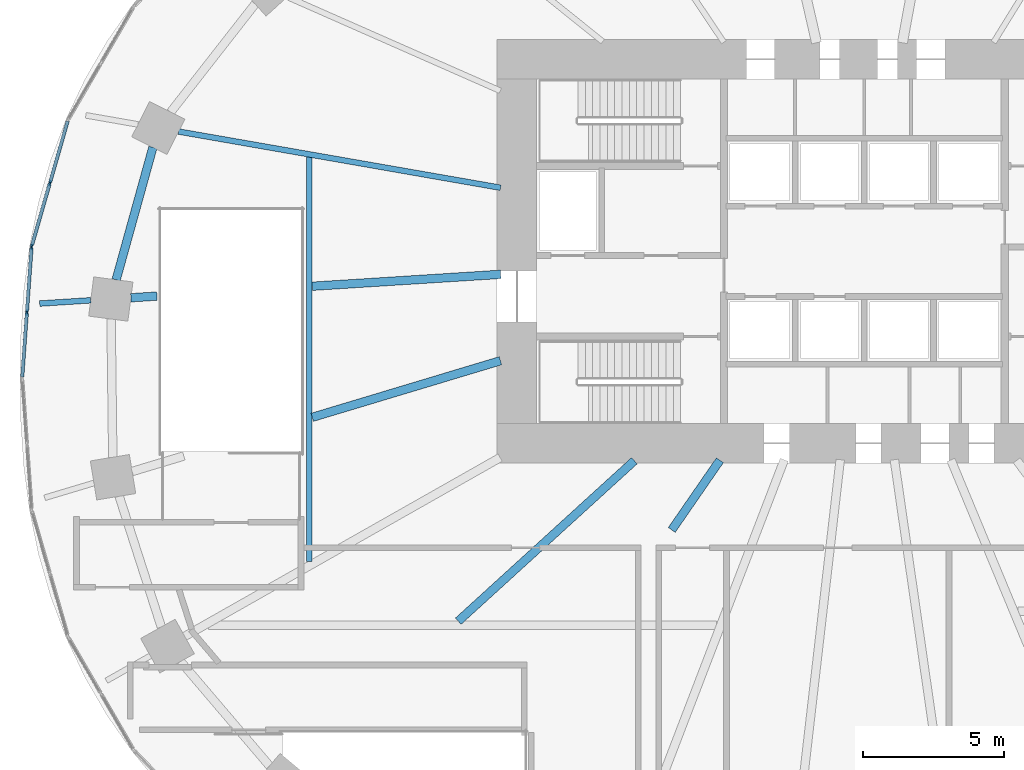
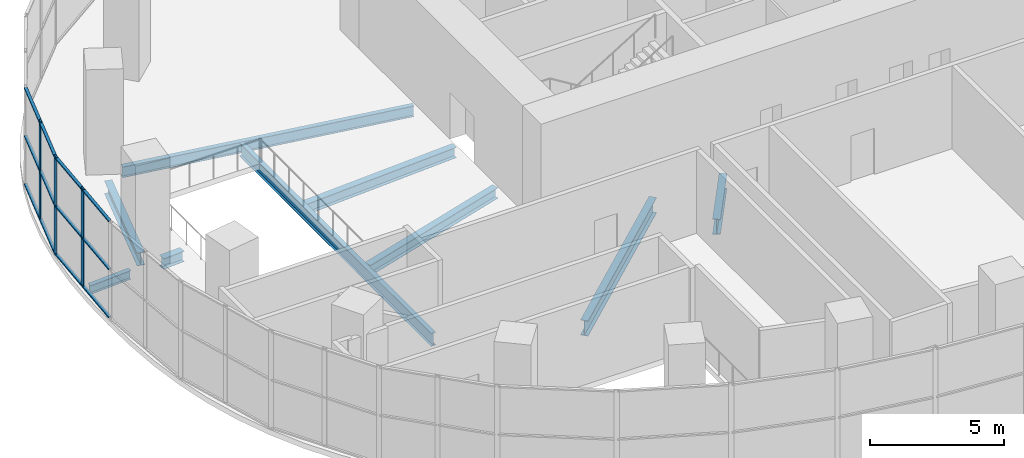
# One storey, part 4 of 17: 15 members, 9 beams, 2 elements without a shape of their own.
"""IFC4 building model written with IfcOpenShell, lengths in metres."""

from ifc_helpers import new_model, si_unit, direction, frame, origin, origin_2d, place, context, subcontext, project, spatial, rectangle, i_section, extrude, material, material_profile, profile_set, type_object, element, aggregate, save


model = new_model("IFC4")

# Units and contexts
model_context = context("Model", 3, precision=1e-05, world=origin(), true_north=direction((0.0, 1.0)))
body_context = subcontext(model_context, "Body", "Model", "MODEL_VIEW")
ifc_project = project(units=[si_unit("LENGTHUNIT", "METRE"), si_unit("AREAUNIT", "SQUARE_METRE"), si_unit("VOLUMEUNIT", "CUBIC_METRE"), si_unit("PLANEANGLEUNIT", "RADIAN"), si_unit("MASSUNIT", "GRAM", prefix="KILO")], contexts=[model_context])

# Site, building, storey
site_placement = place(None, origin())
site = spatial("IfcSite", under=ifc_project, at=site_placement, CompositionType="ELEMENT")
building_placement = place(site_placement, origin())
building = spatial("IfcBuilding", under=site, at=building_placement, Name="Rubra Terraces Tower", CompositionType="ELEMENT")
storey_placement = place(building_placement, frame((0.0, 0.0, 28.199951171875)))
storey = spatial("IfcBuildingStorey", under=building, at=storey_placement, Name="L04", CompositionType="ELEMENT", Elevation=28.199951171875)

# Beams
ifc_material_1 = material(Name="Steel Q355B", Category="steel")
ifc_material_profile_1 = material_profile(ifc_material_1, i_section(OverallWidth=0.199951171875, OverallDepth=0.39990234375, WebThickness=0.008056640625, FlangeThickness=0.012939453125, at=origin_2d()), Name="HN 400x200x8x13")
ifc_profile_set_1 = profile_set([ifc_material_profile_1], Name="Steel Q355B")
beam_type_1 = type_object("IfcBeamType", Name="CANTILEVER BEAM HN 400x200x8x13", PredefinedType="BEAM", material=ifc_profile_set_1)
beam_1_placement = place(storey_placement, frame((-27.39599609375, 2.762939453125, -0.449951171875), z_axis=(-0.997981102524, -0.063511565909, 0.0), x_axis=(0.063511565909, -0.997981102524, 0.0)))
element("IfcBeam", 1, at=beam_1_placement, inside=storey, type_object=beam_type_1, Name="beam-L04-cant-12", PredefinedType="BEAM", context=body_context, shape_type="SweptSolid", body=[
    extrude(i_section(OverallWidth=0.199951171875, OverallDepth=0.39990234375, WebThickness=0.008056640625, FlangeThickness=0.012939453125, at=origin_2d()), origin(), (0.0, 0.0, 1.0), 1.810546875),
])
ifc_material_profile_2 = material_profile(ifc_material_1, i_section(OverallWidth=0.300048828125, OverallDepth=0.48193359375, WebThickness=0.010986328125, FlangeThickness=0.014892578125, at=origin_2d()), Name="HM 482x300x11x15")
ifc_profile_set_2 = profile_set([ifc_material_profile_2], Name="Steel Q355B")
beam_type_2 = type_object("IfcBeamType", Name="FLOOR BEAM HM 482x300x11x15", PredefinedType="BEAM", material=ifc_profile_set_2)
beam_2_placement = place(storey_placement, frame((-25.971923828125, 2.85302734375, -0.490966796875), z_axis=(0.997952606067, 0.063957767656, 0.0), x_axis=(-0.063957767656, 0.997952606067, 0.0)))
element("IfcBeam", 2, at=beam_2_placement, inside=storey, type_object=beam_type_2, Name="beam-L04-floor-12-a", PredefinedType="BEAM", context=body_context, shape_type="SweptSolid", body=[
    extrude(i_section(OverallWidth=0.300048828125, OverallDepth=0.48193359375, WebThickness=0.010986328125, FlangeThickness=0.014892578125, at=origin_2d()), origin(), (0.0, 0.0, 1.0), 0.923828125),
])
beam_3_placement = place(storey_placement, frame((-19.550048828125, 3.260986328125, -0.490966796875), z_axis=(0.998003521205, 0.063158306364, 0.0), x_axis=(-0.063158306364, 0.998003521205, 0.0)))
element("IfcBeam", 3, at=beam_3_placement, inside=storey, type_object=beam_type_2, Name="beam-L04-floor-12-b", PredefinedType="BEAM", context=body_context, shape_type="SweptSolid", body=[
    extrude(i_section(OverallWidth=0.300048828125, OverallDepth=0.48193359375, WebThickness=0.010986328125, FlangeThickness=0.014892578125, at=origin_2d()), origin(), (0.0, 0.0, 1.0), 6.68359375),
])
beam_4_placement = place(storey_placement, frame((-19.550048828125, -1.381103515625, -0.490966796875), z_axis=(0.95760395175, 0.288087958085, 0.0), x_axis=(-0.288087958085, 0.95760395175, 0.0)))
element("IfcBeam", 4, at=beam_4_placement, inside=storey, type_object=beam_type_2, Name="beam-L04-floor-13-b", PredefinedType="BEAM", context=body_context, shape_type="SweptSolid", body=[
    extrude(i_section(OverallWidth=0.300048828125, OverallDepth=0.48193359375, WebThickness=0.010986328125, FlangeThickness=0.014892578125, at=origin_2d()), origin(), (0.0, 0.0, 1.0), 6.960205078125),
])
ifc_material_profile_3 = material_profile(ifc_material_1, i_section(OverallWidth=0.198974609375, OverallDepth=0.49609375, WebThickness=0.009033203125, FlangeThickness=0.013916015625, at=origin_2d()), Name="HN 496x199x9x14")
ifc_profile_set_3 = profile_set([ifc_material_profile_3], Name="Steel Q355B")
beam_type_3 = type_object("IfcBeamType", Name="FLOOR BEAM HN 496x199x9x14", PredefinedType="BEAM", material=ifc_profile_set_3)
beam_5_placement = place(storey_placement, frame((-24.282958984375, 8.739990234375, -0.498046875), z_axis=(0.985091834527, -0.172029292701, 0.0), x_axis=(0.172029292701, 0.985091834527, 0.0)))
element("IfcBeam", 5, at=beam_5_placement, inside=storey, type_object=beam_type_3, Name="beam-L04-floor-11", PredefinedType="BEAM", context=body_context, shape_type="SweptSolid", body=[
    extrude(i_section(OverallWidth=0.198974609375, OverallDepth=0.49609375, WebThickness=0.009033203125, FlangeThickness=0.013916015625, at=origin_2d()), origin(), (0.0, 0.0, 1.0), 11.573486328125),
])
ifc_material_profile_4 = material_profile(ifc_material_1, i_section(OverallWidth=0.300048828125, OverallDepth=0.699951171875, WebThickness=0.012939453125, FlangeThickness=0.02392578125, at=origin_2d()), Name="HN 700x300x13x24")
ifc_profile_set_4 = profile_set([ifc_material_profile_4], Name="Steel Q355B")
beam_type_4 = type_object("IfcBeamType", Name="FLOOR BEAM HN 700x300x13x24", PredefinedType="BEAM", material=ifc_profile_set_4)
beam_6_placement = place(storey_placement, frame((-14.3798828125, -8.60009765625, -0.599853515625), z_axis=(0.739219389945, 0.673464693603, 0.0), x_axis=(-0.673464693603, 0.739219389945, 0.0)))
element("IfcBeam", 6, at=beam_6_placement, inside=storey, type_object=beam_type_4, Name="beam-L04-floor-15-a", PredefinedType="BEAM", context=body_context, shape_type="SweptSolid", body=[
    extrude(i_section(OverallWidth=0.300048828125, OverallDepth=0.699951171875, WebThickness=0.012939453125, FlangeThickness=0.02392578125, at=origin_2d()), origin(), (0.0, 0.0, 1.0), 8.435791015625),
])
beam_7_placement = place(storey_placement, frame((-6.818115234375, -5.368896484375, -0.599853515625), z_axis=(0.568409833772, 0.822745562657, 0.0), x_axis=(-0.822745562657, 0.568409833772, 0.0)))
element("IfcBeam", 7, at=beam_7_placement, inside=storey, type_object=beam_type_4, Name="beam-L04-floor-16-a", PredefinedType="BEAM", context=body_context, shape_type="SweptSolid", body=[
    extrude(i_section(OverallWidth=0.300048828125, OverallDepth=0.699951171875, WebThickness=0.012939453125, FlangeThickness=0.02392578125, at=origin_2d()), origin(), (0.0, 0.0, 1.0), 2.999755859375),
])

# Curtain wall, member
ifc_material_2 = material(Name="Aluminium and glass", Category="aluminium")
curtain_wall_type = type_object("IfcCurtainWallType", Name="Curtain wall Podium glazing", PredefinedType="NOTDEFINED", material=ifc_material_2)
curtain_wall_1_placement = place(storey_placement, origin())
curtain_wall_1 = element("IfcCurtainWall", 8, at=curtain_wall_1_placement, inside=storey, type_object=curtain_wall_type, Name="L04 glazing bay 19", PredefinedType="NOTDEFINED")
ifc_material_3 = material(Name="Aluminium, anodised dark grey", Category="aluminium")
ifc_material_profile_5 = material_profile(ifc_material_3, rectangle(XDim=0.06005859375, YDim=0.199951171875, at=origin_2d()), Name="AL 60x200")
ifc_profile_set_5 = profile_set([ifc_material_profile_5], Name="Aluminium, anodised dark grey")
member_type_1 = type_object("IfcMemberType", Name="Podium glazing mullion 60 x 200", PredefinedType="MULLION", material=ifc_profile_set_5)
member_1_placement = place(storey_placement, frame((-28.843505859375, 6.912841796875, 0.0), z_axis=(0.0, 0.0, 1.0), x_axis=(0.961047339404, -0.276383811798, 0.0)))
member_1 = element("IfcMember", 9, at=member_1_placement, type_object=member_type_1, Name="CW1 mullion 2", PredefinedType="MULLION", context=body_context, shape_type="SweptSolid", body=[
    extrude(rectangle(XDim=0.06005859375, YDim=0.199951171875, at=origin_2d()), origin(), (0.0, 0.0, 1.0), 4.5),
])

# Curtain wall, members
curtain_wall_2_placement = place(storey_placement, origin())
curtain_wall_2 = element("IfcCurtainWall", 10, at=curtain_wall_2_placement, inside=storey, type_object=curtain_wall_type, Name="L04 glazing bay 20", PredefinedType="NOTDEFINED")
member_2_placement = place(storey_placement, frame((-29.490234375, 4.646728515625, 0.0), z_axis=(0.0, 0.0, 1.0), x_axis=(0.997419621076, -0.071792057306, 0.0)))
member_2 = element("IfcMember", 11, at=member_2_placement, type_object=member_type_1, Name="CW1 mullion 1", PredefinedType="MULLION", context=body_context, shape_type="SweptSolid", body=[
    extrude(rectangle(XDim=0.06005859375, YDim=0.199951171875, at=origin_2d()), origin(), (0.0, 0.0, 1.0), 4.5),
])
member_3_placement = place(storey_placement, frame((-29.65673828125, 2.335693359375, 0.0), z_axis=(0.0, 0.0, 1.0), x_axis=(0.997419621076, -0.071792057306, 0.0)))
member_3 = element("IfcMember", 12, at=member_3_placement, type_object=member_type_1, Name="CW1 mullion 2", PredefinedType="MULLION", context=body_context, shape_type="SweptSolid", body=[
    extrude(rectangle(XDim=0.06005859375, YDim=0.199951171875, at=origin_2d()), origin(), (0.0, 0.0, 1.0), 4.5),
])

# Member
ifc_material_profile_6 = material_profile(ifc_material_3, rectangle(XDim=0.1201171875, YDim=0.06005859375, at=origin_2d()), Name="AL 120x60")
ifc_profile_set_6 = profile_set([ifc_material_profile_6], Name="Aluminium, anodised dark grey")
member_type_2 = type_object("IfcMemberType", Name="Podium glazing transom 120 x 60", PredefinedType="USERDEFINED", material=ifc_profile_set_6)
member_4_placement = place(storey_placement, frame((-28.21240234375, 9.106689453125, 0.06005859375), z_axis=(-0.276452561882, -0.961027565177, 0.0), x_axis=(0.961027565177, -0.276452561882, 0.0)))
member_4 = element("IfcMember", 13, at=member_4_placement, type_object=member_type_2, Name="CW1 transom 1.1", ObjectType="TRANSOM", PredefinedType="USERDEFINED", context=body_context, shape_type="SweptSolid", body=[
    extrude(rectangle(XDim=0.1201171875, YDim=0.06005859375, at=origin_2d()), origin(), (0.0, 0.0, 1.0), 2.2529296875),
])

member_5_placement = place(storey_placement, frame((-28.21240234375, 9.106689453125, 2.25), z_axis=(-0.276452561882, -0.961027565177, 0.0), x_axis=(0.961027565177, -0.276452561882, 0.0)))
member_5 = element("IfcMember", 14, at=member_5_placement, type_object=member_type_2, Name="CW1 transom 1.2", ObjectType="TRANSOM", PredefinedType="USERDEFINED", context=body_context, shape_type="SweptSolid", body=[
    extrude(rectangle(XDim=0.1201171875, YDim=0.06005859375, at=origin_2d()), origin(), (0.0, 0.0, 1.0), 2.2529296875),
])

member_6_placement = place(storey_placement, frame((-28.21240234375, 9.106689453125, 4.43994140625), z_axis=(-0.276452561882, -0.961027565177, 0.0), x_axis=(0.961027565177, -0.276452561882, 0.0)))
member_6 = element("IfcMember", 15, at=member_6_placement, type_object=member_type_2, Name="CW1 transom 1.3", ObjectType="TRANSOM", PredefinedType="USERDEFINED", context=body_context, shape_type="SweptSolid", body=[
    extrude(rectangle(XDim=0.1201171875, YDim=0.06005859375, at=origin_2d()), origin(), (0.0, 0.0, 1.0), 2.2529296875),
])

member_7_placement = place(storey_placement, frame((-28.851806640625, 6.884033203125, 0.06005859375), z_axis=(-0.276352469421, -0.961056352481, 0.0), x_axis=(0.961056352481, -0.276352469421, 0.0)))
member_7 = element("IfcMember", 16, at=member_7_placement, type_object=member_type_2, Name="CW1 transom 2.1", ObjectType="TRANSOM", PredefinedType="USERDEFINED", context=body_context, shape_type="SweptSolid", body=[
    extrude(rectangle(XDim=0.1201171875, YDim=0.06005859375, at=origin_2d()), origin(), (0.0, 0.0, 1.0), 2.252685546875),
])

member_8_placement = place(storey_placement, frame((-28.851806640625, 6.884033203125, 2.25), z_axis=(-0.276352469421, -0.961056352481, 0.0), x_axis=(0.961056352481, -0.276352469421, 0.0)))
member_8 = element("IfcMember", 17, at=member_8_placement, type_object=member_type_2, Name="CW1 transom 2.2", ObjectType="TRANSOM", PredefinedType="USERDEFINED", context=body_context, shape_type="SweptSolid", body=[
    extrude(rectangle(XDim=0.1201171875, YDim=0.06005859375, at=origin_2d()), origin(), (0.0, 0.0, 1.0), 2.252685546875),
])

member_9_placement = place(storey_placement, frame((-28.851806640625, 6.884033203125, 4.43994140625), z_axis=(-0.276352469421, -0.961056352481, 0.0), x_axis=(0.961056352481, -0.276352469421, 0.0)))
member_9 = element("IfcMember", 18, at=member_9_placement, type_object=member_type_2, Name="CW1 transom 2.3", ObjectType="TRANSOM", PredefinedType="USERDEFINED", context=body_context, shape_type="SweptSolid", body=[
    extrude(rectangle(XDim=0.1201171875, YDim=0.06005859375, at=origin_2d()), origin(), (0.0, 0.0, 1.0), 2.252685546875),
])

aggregate(curtain_wall_1, [member_1, member_4, member_5, member_6, member_7, member_8, member_9])

member_10_placement = place(storey_placement, frame((-29.492431640625, 4.61669921875, 0.06005859375), z_axis=(-0.071823568166, -0.997417352494, 0.0), x_axis=(0.997417352494, -0.071823568166, 0.0)))
member_10 = element("IfcMember", 19, at=member_10_placement, type_object=member_type_2, Name="CW1 transom 1.1", ObjectType="TRANSOM", PredefinedType="USERDEFINED", context=body_context, shape_type="SweptSolid", body=[
    extrude(rectangle(XDim=0.1201171875, YDim=0.06005859375, at=origin_2d()), origin(), (0.0, 0.0, 1.0), 2.257080078125),
])

member_11_placement = place(storey_placement, frame((-29.492431640625, 4.61669921875, 2.25), z_axis=(-0.071823568166, -0.997417352494, 0.0), x_axis=(0.997417352494, -0.071823568166, 0.0)))
member_11 = element("IfcMember", 20, at=member_11_placement, type_object=member_type_2, Name="CW1 transom 1.2", ObjectType="TRANSOM", PredefinedType="USERDEFINED", context=body_context, shape_type="SweptSolid", body=[
    extrude(rectangle(XDim=0.1201171875, YDim=0.06005859375, at=origin_2d()), origin(), (0.0, 0.0, 1.0), 2.257080078125),
])

member_12_placement = place(storey_placement, frame((-29.492431640625, 4.61669921875, 4.43994140625), z_axis=(-0.071823568166, -0.997417352494, 0.0), x_axis=(0.997417352494, -0.071823568166, 0.0)))
member_12 = element("IfcMember", 21, at=member_12_placement, type_object=member_type_2, Name="CW1 transom 1.3", ObjectType="TRANSOM", PredefinedType="USERDEFINED", context=body_context, shape_type="SweptSolid", body=[
    extrude(rectangle(XDim=0.1201171875, YDim=0.06005859375, at=origin_2d()), origin(), (0.0, 0.0, 1.0), 2.257080078125),
])

member_13_placement = place(storey_placement, frame((-29.658935546875, 2.3056640625, 0.06005859375), z_axis=(-0.071715956886, -0.997425095698, 0.0), x_axis=(0.997425095698, -0.071715956886, 0.0)))
member_13 = element("IfcMember", 22, at=member_13_placement, type_object=member_type_2, Name="CW1 transom 2.1", ObjectType="TRANSOM", PredefinedType="USERDEFINED", context=body_context, shape_type="SweptSolid", body=[
    extrude(rectangle(XDim=0.1201171875, YDim=0.06005859375, at=origin_2d()), origin(), (0.0, 0.0, 1.0), 2.257080078125),
])

member_14_placement = place(storey_placement, frame((-29.658935546875, 2.3056640625, 2.25), z_axis=(-0.071715956886, -0.997425095698, 0.0), x_axis=(0.997425095698, -0.071715956886, 0.0)))
member_14 = element("IfcMember", 23, at=member_14_placement, type_object=member_type_2, Name="CW1 transom 2.2", ObjectType="TRANSOM", PredefinedType="USERDEFINED", context=body_context, shape_type="SweptSolid", body=[
    extrude(rectangle(XDim=0.1201171875, YDim=0.06005859375, at=origin_2d()), origin(), (0.0, 0.0, 1.0), 2.257080078125),
])

member_15_placement = place(storey_placement, frame((-29.658935546875, 2.3056640625, 4.43994140625), z_axis=(-0.071715956886, -0.997425095698, 0.0), x_axis=(0.997425095698, -0.071715956886, 0.0)))
member_15 = element("IfcMember", 24, at=member_15_placement, type_object=member_type_2, Name="CW1 transom 2.3", ObjectType="TRANSOM", PredefinedType="USERDEFINED", context=body_context, shape_type="SweptSolid", body=[
    extrude(rectangle(XDim=0.1201171875, YDim=0.06005859375, at=origin_2d()), origin(), (0.0, 0.0, 1.0), 2.257080078125),
])

aggregate(curtain_wall_2, [member_2, member_3, member_10, member_11, member_12, member_13, member_14, member_15])

# Beams
ifc_material_profile_7 = material_profile(ifc_material_1, i_section(OverallWidth=0.300048828125, OverallDepth=0.587890625, WebThickness=0.011962890625, FlangeThickness=0.02001953125, at=origin_2d()), Name="HM 588x300x12x20")
ifc_profile_set_7 = profile_set([ifc_material_profile_7], Name="Steel Q355B")
beam_type_5 = type_object("IfcBeamType", Name="SPANDREL BEAM HM 588x300x12x20", PredefinedType="SPANDREL", material=ifc_profile_set_7)
beam_8_placement = place(storey_placement, frame((-25.194091796875, 8.177978515625, -0.5439453125), z_axis=(-0.267364386726, -0.96359549849, 0.0), x_axis=(0.96359549849, -0.267364386726, 0.0)))
element("IfcBeam", 25, at=beam_8_placement, inside=storey, type_object=beam_type_5, Name="beam-L04-spandrel-11", PredefinedType="SPANDREL", context=body_context, shape_type="SweptSolid", body=[
    extrude(i_section(OverallWidth=0.300048828125, OverallDepth=0.587890625, WebThickness=0.011962890625, FlangeThickness=0.02001953125, at=origin_2d()), origin(), (0.0, 0.0, 1.0), 4.8662109375),
])
ifc_material_profile_8 = material_profile(ifc_material_1, i_section(OverallWidth=0.198974609375, OverallDepth=0.595947265625, WebThickness=0.010009765625, FlangeThickness=0.014892578125, at=origin_2d()), Name="HN 596x199x10x15")
ifc_profile_set_8 = profile_set([ifc_material_profile_8], Name="Steel Q355B")
beam_type_6 = type_object("IfcBeamType", Name="TRIMMER BEAM HN 596x199x10x15", PredefinedType="BEAM", material=ifc_profile_set_8)
beam_9_placement = place(storey_placement, frame((-19.64990234375, -6.485107421875, -0.5478515625), z_axis=(0.0, 1.0, 0.0), x_axis=(-1.0, 0.0, 0.0)))
element("IfcBeam", 26, at=beam_9_placement, inside=storey, type_object=beam_type_6, Name="beam-L04-header-1-xhi", PredefinedType="BEAM", context=body_context, shape_type="SweptSolid", body=[
    extrude(i_section(OverallWidth=0.198974609375, OverallDepth=0.595947265625, WebThickness=0.010009765625, FlangeThickness=0.014892578125, at=origin_2d()), origin(), (0.0, 0.0, 1.0), 14.317138671875),
])

save(model, "model.ifc")
